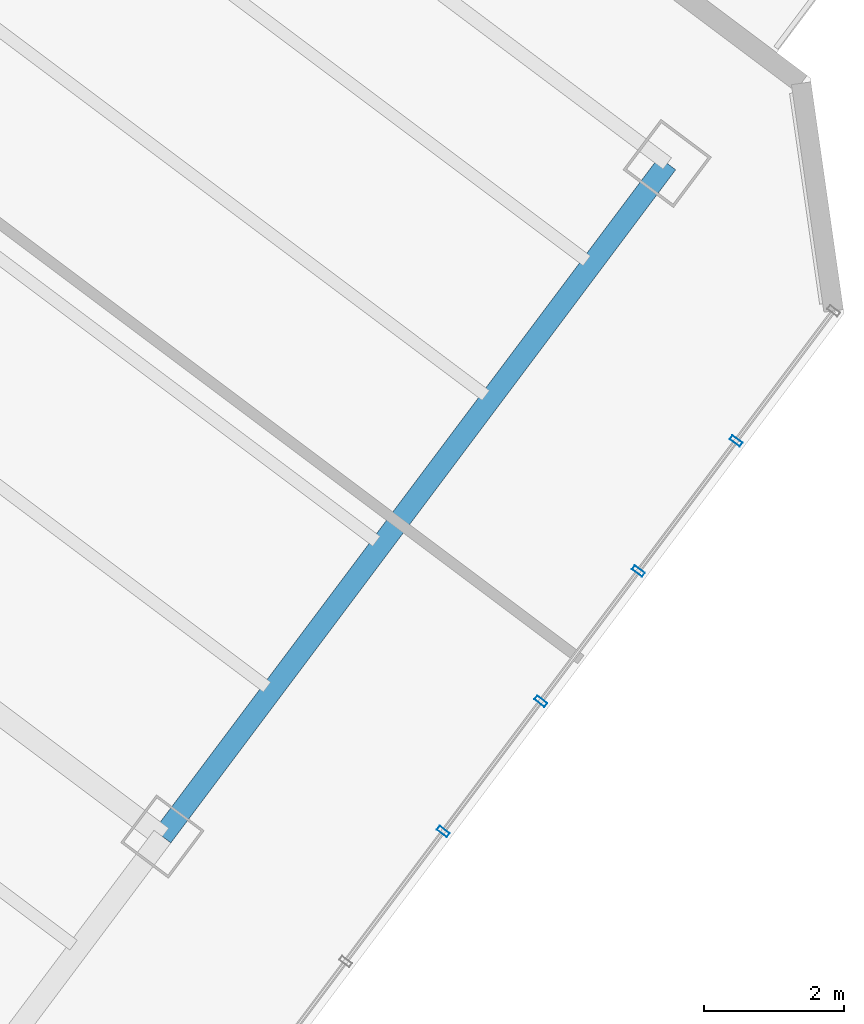
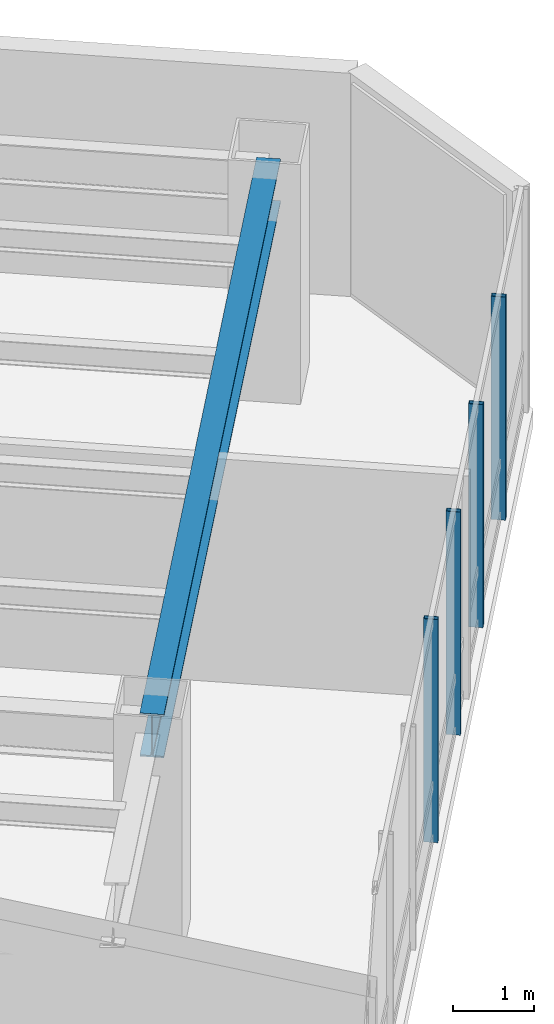
# One storey, part 10 of 29: 4 members, 1 beam, 1 element without a shape of its own.
"""IFC4 building model written with IfcOpenShell, lengths in metres."""

import ifcopenshell
import ifcopenshell.guid

model = None  # the IFC model being written
_history = None  # IfcOwnerHistory: only IFC2X3 demands one
_inside = {}  # id of a spatial element -> (the spatial element, [elements in it])
_under = {}  # id of a project, library or spatial element -> (it, [spatial elements below it])
_declared = {}  # id of a project -> (the project, [libraries it declares])
_typed = {}  # id of a type object -> (the type object, [elements of that type])
_made_of = {}  # id of a material, layer set ... -> (it, [elements and type objects made of it])


def new_model(schema):
    """Start an empty IFC model of exactly this schema.

    Asked for "IFC4X3", IfcOpenShell would pick the latest addendum, in which some entities
    have other attributes; the version numbers below select the first issue.
    IFC2X3 requires an IfcOwnerHistory on every rooted entity: one is made here for all.
    """
    global model, _history
    if schema == "IFC4X3":
        model = ifcopenshell.file(schema_version=(4, 3, 0, 0))
    else:
        model = ifcopenshell.file(schema=schema)
    _inside.clear()
    _under.clear()
    _declared.clear()
    _typed.clear()
    _made_of.clear()
    _history = None
    if model.schema == "IFC2X3":
        org = make("IfcOrganization", Name="unknown")
        user = make(
            "IfcPersonAndOrganization",
            ThePerson=make("IfcPerson", FamilyName="unknown"),
            TheOrganization=org,
        )
        app = make(
            "IfcApplication",
            ApplicationDeveloper=org,
            Version="unknown",
            ApplicationFullName="unknown",
            ApplicationIdentifier="unknown",
        )
        _history = make(
            "IfcOwnerHistory",
            OwningUser=user,
            OwningApplication=app,
            ChangeAction="ADDED",
            CreationDate=0,
        )
    return model


def make(cls, **values):
    """One entity of the class cls with the attributes given. An attribute that is None is left unset."""
    return model.create_entity(
        cls, **{name: value for name, value in values.items() if value is not None}
    )


def rooted(cls, **values):
    """An entity with a GlobalId (a new one), such as an element, a storey or a relation."""
    return make(cls, GlobalId=ifcopenshell.guid.new(), OwnerHistory=_history, **values)


def si_unit(unit_type, name, prefix=None):
    """IfcSIUnit, for example si_unit("LENGTHUNIT", "METRE", prefix="MILLI")."""
    return make("IfcSIUnit", UnitType=unit_type, Prefix=prefix, Name=name)


def assignment(units):
    """IfcUnitAssignment: the units of a project."""
    return None if units is None else make("IfcUnitAssignment", Units=units)


def point(xyz):
    """IfcCartesianPoint."""
    return None if xyz is None else make("IfcCartesianPoint", Coordinates=xyz)


def direction(xyz):
    """IfcDirection."""
    return None if xyz is None else make("IfcDirection", DirectionRatios=xyz)


def frame(location, z_axis=None, x_axis=None):
    """IfcAxis2Placement3D, a coordinate frame: its origin and axes. An axis left out is left unset."""
    return make(
        "IfcAxis2Placement3D",
        Location=point(location),
        Axis=direction(z_axis),
        RefDirection=direction(x_axis),
    )


def frame_2d(location, x_axis=None):
    """IfcAxis2Placement2D, a coordinate frame in the plane: its origin and x axis."""
    return make(
        "IfcAxis2Placement2D", Location=point(location), RefDirection=direction(x_axis)
    )


def origin():
    """The frame at (0, 0, 0) with its axes left unset."""
    return frame((0.0, 0.0, 0.0))


def origin_2d():
    """The frame at (0, 0) in the plane with its x axis left unset."""
    return frame_2d((0.0, 0.0))


def place(relative_to, where):
    """IfcLocalPlacement: puts the frame where relative to a parent placement (None: the world)."""
    return make(
        "IfcLocalPlacement", PlacementRelTo=relative_to, RelativePlacement=where
    )


def context(
    kind, dimensions, precision=None, world=None, true_north=None, identifier=None
):
    """IfcGeometricRepresentationContext, for example the 3D "Model" context."""
    return make(
        "IfcGeometricRepresentationContext",
        ContextIdentifier=identifier,
        ContextType=kind,
        CoordinateSpaceDimension=dimensions,
        Precision=precision,
        WorldCoordinateSystem=world,
        TrueNorth=true_north,
    )


def subcontext(parent, identifier, kind, view, scale=None):
    """IfcGeometricRepresentationSubContext, for example "Body" below "Model"."""
    return make(
        "IfcGeometricRepresentationSubContext",
        ContextIdentifier=identifier,
        ContextType=kind,
        ParentContext=parent,
        TargetScale=scale,
        TargetView=view,
    )


def project(units=None, contexts=None):
    """IfcProject with its units and contexts."""
    return rooted(
        "IfcProject",
        Name="project",
        RepresentationContexts=contexts,
        UnitsInContext=assignment(units),
    )


def spatial(cls, under=None, at=None, **own):
    """A site, building, storey or space (cls), placed at a placement, below another one or the project."""
    s = rooted(cls, ObjectPlacement=at, **own)
    if under is not None:
        _under.setdefault(under.id(), (under, []))[1].append(s)
    return s


def profile(cls, at=None, kind="AREA", **sizes):
    """A parametric profile (cls). Its sizes go by their IFC names, for example OverallWidth=200.0."""
    return make(cls, ProfileType=kind, Position=at, **sizes)


def hollow_rectangle(**sizes):
    """IfcRectangleHollowProfileDef."""
    return profile("IfcRectangleHollowProfileDef", **sizes)


def i_section(**sizes):
    """IfcIShapeProfileDef."""
    return profile("IfcIShapeProfileDef", **sizes)


def extrude(swept, where, along, depth):
    """IfcExtrudedAreaSolid: the profile swept, set in the frame where, extruded along a direction by depth."""
    return make(
        "IfcExtrudedAreaSolid",
        SweptArea=swept,
        Position=where,
        ExtrudedDirection=direction(along),
        Depth=depth,
    )


def shape(context_of_items, identifier, shape_type, items):
    """IfcShapeRepresentation: the items that make up one representation, for example the "Body"."""
    return make(
        "IfcShapeRepresentation",
        ContextOfItems=context_of_items,
        RepresentationIdentifier=identifier,
        RepresentationType=shape_type,
        Items=items,
    )


def material(Name=None, Category=None):
    """IfcMaterial."""
    return make("IfcMaterial", Name=Name, Category=Category)


def layer(
    of_material, thickness, ventilated=None, Name=None, Category=None, Priority=None
):
    """IfcMaterialLayer: one layer of a wall or slab, of a material (None: an air gap)."""
    return make(
        "IfcMaterialLayer",
        Material=of_material,
        LayerThickness=thickness,
        IsVentilated=ventilated,
        Name=Name,
        Category=Category,
        Priority=Priority,
    )


def layer_set(layers, Name=None):
    """IfcMaterialLayerSet."""
    return make("IfcMaterialLayerSet", MaterialLayers=layers, LayerSetName=Name)


def material_profile(
    of_material, cross_section, Name=None, Category=None, Priority=None
):
    """IfcMaterialProfile: a cross section and its material."""
    return make(
        "IfcMaterialProfile",
        Name=Name,
        Material=of_material,
        Profile=cross_section,
        Priority=Priority,
        Category=Category,
    )


def profile_set(profiles, Name=None, composite=None):
    """IfcMaterialProfileSet."""
    return make(
        "IfcMaterialProfileSet",
        Name=Name,
        MaterialProfiles=profiles,
        CompositeProfile=composite,
    )


def made_of(thing, what):
    """Note that an element or type object is made of a material, layer set ...; save() writes the relation."""
    if what is not None:
        _made_of.setdefault(what.id(), (what, []))[1].append(thing)
    return thing


def type_object(cls, material=None, **own):
    """A type object (cls), such as IfcWallType, which elements share."""
    return made_of(rooted(cls, **own), material)


def element(
    cls,
    number,
    at=None,
    inside=None,
    cuts=None,
    type_object=None,
    material=None,
    context=None,
    identifier="Body",
    shape_type=None,
    held_by="IfcProductDefinitionShape",
    body=None,
    shapes=None,
    **own,
):
    """One element of the class cls, such as IfcWall. Its Tag is "e" and its number.

    at: its placement. inside: the storey or other place that contains it. cuts: it is an
    opening in that element (IfcRelVoidsElement). A single representation is given by context,
    identifier, shape_type and body (its items); several are given by shapes. held_by: the class
    of the entity that holds the representations. save() writes the other relations.
    """
    e = rooted(cls, Tag="e%d" % number, ObjectPlacement=at, **own)
    if body is not None:
        shapes = [shape(context, identifier, shape_type, body)]
    if shapes is not None:
        e.Representation = make(held_by, Representations=shapes)
    if inside is not None:
        _inside.setdefault(inside.id(), (inside, []))[1].append(e)
    if cuts is not None:
        rooted(
            "IfcRelVoidsElement", RelatingBuildingElement=cuts, RelatedOpeningElement=e
        )
    if type_object is not None:
        _typed.setdefault(type_object.id(), (type_object, []))[1].append(e)
    return made_of(e, material)


def aggregate(whole, parts):
    """IfcRelAggregates: a whole, such as a stair, and the parts it consists of."""
    return rooted("IfcRelAggregates", RelatingObject=whole, RelatedObjects=parts)


def save(model, path):
    """Write the relations noted so far, then the file.

    IfcRelAggregates (storeys below a building ...), IfcRelContainedInSpatialStructure (elements
    in a storey), IfcRelDefinesByType, IfcRelAssociatesMaterial and IfcRelDeclares: one each for
    every whole, place, type object, material and project.
    """
    for whole, parts in _under.values():
        aggregate(whole, parts)
    for where, things in _inside.values():
        rooted(
            "IfcRelContainedInSpatialStructure",
            RelatedElements=things,
            RelatingStructure=where,
        )
    for kind, things in _typed.values():
        rooted("IfcRelDefinesByType", RelatedObjects=things, RelatingType=kind)
    for what, things in _made_of.values():
        rooted("IfcRelAssociatesMaterial", RelatedObjects=things, RelatingMaterial=what)
    for by, libraries in _declared.values():
        rooted("IfcRelDeclares", RelatingContext=by, RelatedDefinitions=libraries)
    model.write(path)


model = new_model("IFC4")

# Units and contexts
model_context = context("Model", 3, precision=1e-05, world=origin(), true_north=direction((0.0, 1.0)))
body_context = subcontext(model_context, "Body", "Model", "MODEL_VIEW")
ifc_project = project(units=[si_unit("LENGTHUNIT", "METRE"), si_unit("AREAUNIT", "SQUARE_METRE"), si_unit("VOLUMEUNIT", "CUBIC_METRE"), si_unit("PLANEANGLEUNIT", "RADIAN"), si_unit("MASSUNIT", "GRAM", prefix="KILO")], contexts=[model_context])

# Site, building, storey
site_placement = place(None, origin())
site = spatial("IfcSite", under=ifc_project, at=site_placement, CompositionType="ELEMENT")
building_placement = place(site_placement, origin())
building = spatial("IfcBuilding", under=site, at=building_placement, Name="Hatsunagi Terrace Concourse", CompositionType="ELEMENT")
storey_placement = place(building_placement, frame((0.0, 0.0, 108.449951171875)))
storey = spatial("IfcBuildingStorey", under=building, at=storey_placement, Name="L28", CompositionType="ELEMENT", Elevation=108.449951171875)

# Curtain wall, members
ifc_material_1 = material(Name="Anodised Aluminium Alloy 6063-T5", Category="aluminium")
ifc_layer = layer(ifc_material_1, 0.199951171875)
ifc_layer_set = layer_set([ifc_layer], Name="OfficeZone1_CW03")
curtain_wall_type = type_object("IfcCurtainWallType", Name="OfficeZone1_CW03", PredefinedType="NOTDEFINED", material=ifc_layer_set)
curtain_wall_placement = place(storey_placement, origin())
curtain_wall = element("IfcCurtainWall", 1, at=curtain_wall_placement, inside=storey, type_object=curtain_wall_type, Name="Unitised Curtain Wall CW-03 CW-L28-03", PredefinedType="NOTDEFINED")
ifc_material_2 = material(Name="Anodised Aluminium Alloy 6063-T5", Category="aluminium")
ifc_material_profile_1 = material_profile(ifc_material_2, hollow_rectangle(XDim=0.070068359375, YDim=0.179931640625, WallThickness=0.00390625, at=origin_2d()), Name="ALU-MUL-180x70x4")
ifc_profile_set_1 = profile_set([ifc_material_profile_1], Name="Anodised Aluminium Alloy 6063-T5")
member_type = type_object("IfcMemberType", Name="CurtainWallMullion_180x70", PredefinedType="MULLION", material=ifc_profile_set_1)
member_1_placement = place(storey_placement, frame((67.700927734375, 17.802001953125, 0.0), z_axis=(0.0, 0.0, 1.0), x_axis=(-0.599969314634, -0.800023013105, 0.0)))
member_1 = element("IfcMember", 2, at=member_1_placement, type_object=member_type, Name="Curtain Wall Mullion MUL-02", PredefinedType="MULLION", context=body_context, shape_type="SweptSolid", body=[
    extrude(hollow_rectangle(XDim=0.070068359375, YDim=0.179931640625, WallThickness=0.00390625, at=origin_2d()), origin(), (0.0, 0.0, 1.0), 3.35009765625),
])
member_2_placement = place(storey_placement, frame((66.30908203125, 15.945068359375, 0.0), z_axis=(0.0, 0.0, 1.0), x_axis=(-0.599969314634, -0.800023013105, 0.0)))
member_2 = element("IfcMember", 3, at=member_2_placement, type_object=member_type, Name="Curtain Wall Mullion MUL-02", PredefinedType="MULLION", context=body_context, shape_type="SweptSolid", body=[
    extrude(hollow_rectangle(XDim=0.070068359375, YDim=0.179931640625, WallThickness=0.00390625, at=origin_2d()), origin(), (0.0, 0.0, 1.0), 3.35009765625),
])
member_3_placement = place(storey_placement, frame((64.916015625, 14.089111328125, 0.0), z_axis=(0.0, 0.0, 1.0), x_axis=(-0.599969314634, -0.800023013105, 0.0)))
member_3 = element("IfcMember", 4, at=member_3_placement, type_object=member_type, Name="Curtain Wall Mullion MUL-02", PredefinedType="MULLION", context=body_context, shape_type="SweptSolid", body=[
    extrude(hollow_rectangle(XDim=0.070068359375, YDim=0.179931640625, WallThickness=0.00390625, at=origin_2d()), origin(), (0.0, 0.0, 1.0), 3.35009765625),
])
member_4_placement = place(storey_placement, frame((63.52392578125, 12.23193359375, 0.0), z_axis=(0.0, 0.0, 1.0), x_axis=(-0.599969314634, -0.800023013105, 0.0)))
member_4 = element("IfcMember", 5, at=member_4_placement, type_object=member_type, Name="Curtain Wall Mullion MUL-02", PredefinedType="MULLION", context=body_context, shape_type="SweptSolid", body=[
    extrude(hollow_rectangle(XDim=0.070068359375, YDim=0.179931640625, WallThickness=0.00390625, at=origin_2d()), origin(), (0.0, 0.0, 1.0), 3.35009765625),
])
aggregate(curtain_wall, [member_1, member_2, member_3, member_4])

# Beam
ifc_material_3 = material(Name="Steel SN490B", Category="steel")
ifc_material_profile_2 = material_profile(ifc_material_3, i_section(OverallWidth=0.300048828125, OverallDepth=0.64990234375, WebThickness=0.012939453125, FlangeThickness=0.02197265625, FilletRadius=0.01806640625, at=origin_2d()), Name="H-650x300x13x22")
ifc_profile_set_2 = profile_set([ifc_material_profile_2], Name="Steel SN490B")
beam_type = type_object("IfcBeamType", Name="OfficeLowGirder_H_650x300", PredefinedType="BEAM", material=ifc_profile_set_2)
beam_placement = place(storey_placement, frame((59.52001953125, 12.159912109375, 3.025146484375), z_axis=(0.59999348959, 0.800004882766, 0.0), x_axis=(-0.800004882766, 0.59999348959, 0.0)))
element("IfcBeam", 6, at=beam_placement, inside=storey, type_object=beam_type, Name="Beam G-05 BM-L28-SET-3B", PredefinedType="BEAM", context=body_context, shape_type="SweptSolid", body=[
    extrude(i_section(OverallWidth=0.300048828125, OverallDepth=0.64990234375, WebThickness=0.012939453125, FlangeThickness=0.02197265625, FilletRadius=0.01806640625, at=origin_2d()), origin(), (0.0, 0.0, 1.0), 12.0),
])

save(model, "model.ifc")
